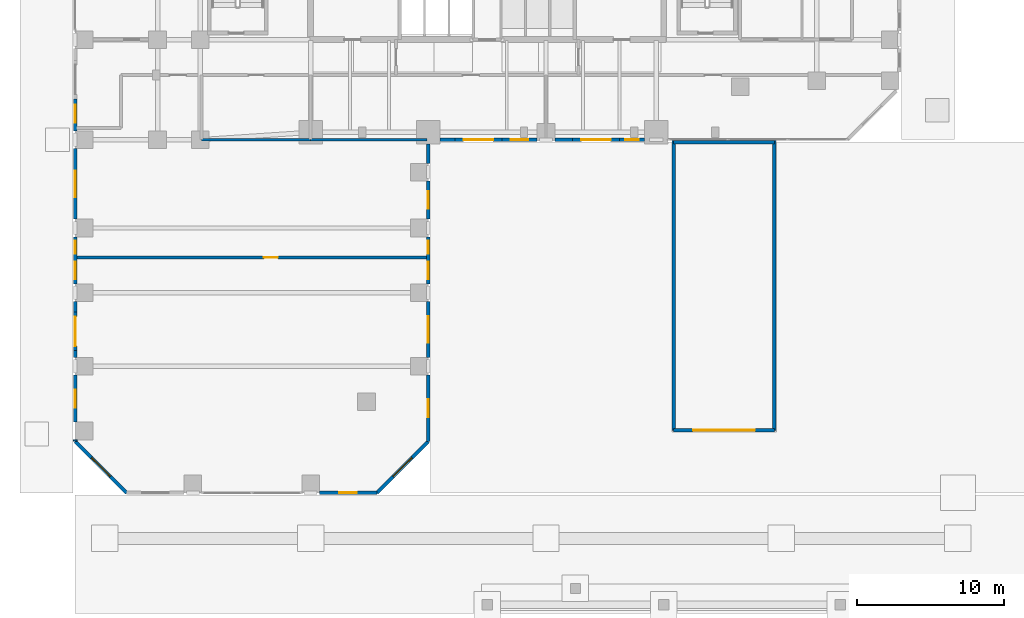
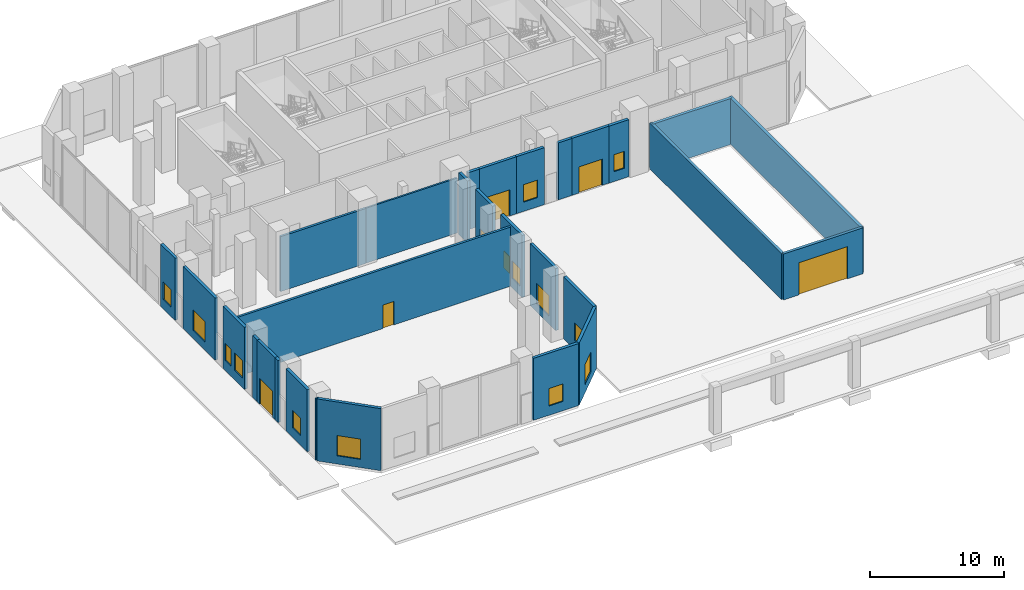
# One storey, part 17 of 26: 29 walls, 15 windows, 5 doors, 20 openings.
"""IFC4 building model written with IfcOpenShell, lengths in metres."""

from ifc_helpers import new_model, si_unit, direction, frame, frame_2d, origin, place, context, subcontext, project, spatial, rectangle, extrude, material, layer, layer_set, type_object, element, fill, save


model = new_model("IFC4")

# Units and contexts
model_context = context("Model", 3, precision=1e-05, world=origin(), true_north=direction((0.0, 1.0)))
body_context = subcontext(model_context, "Body", "Model", "MODEL_VIEW")
ifc_project = project(units=[si_unit("LENGTHUNIT", "METRE"), si_unit("AREAUNIT", "SQUARE_METRE"), si_unit("VOLUMEUNIT", "CUBIC_METRE"), si_unit("PLANEANGLEUNIT", "RADIAN"), si_unit("MASSUNIT", "GRAM", prefix="KILO")], contexts=[model_context])

# Site, building, storey
site_placement = place(None, origin())
site = spatial("IfcSite", under=ifc_project, at=site_placement, CompositionType="ELEMENT")
building_placement = place(site_placement, origin())
building = spatial("IfcBuilding", under=site, at=building_placement, Name="Catumbela Crestline Tower", CompositionType="ELEMENT")
storey_placement = place(building_placement, origin())
storey = spatial("IfcBuildingStorey", under=building, at=storey_placement, Name="L00", CompositionType="ELEMENT", Elevation=0.0)

# Wall
ifc_material_1 = material(Name="Acoustic gypsum and mineral-wool partition")
ifc_layer_1 = layer(ifc_material_1, 0.2, Name="Acoustic gypsum and mineral-wool partition")
ifc_layer_set_1 = layer_set([ifc_layer_1], Name="Acoustic gypsum and mineral-wool partition")
wall_type_1 = type_object("IfcWallType", Name="WC-200", PredefinedType="PARTITIONING", material=ifc_layer_set_1)
wall_1_placement = place(storey_placement, frame((8.6, 24.0, 0.0), z_axis=(0.0, 0.0, 1.0), x_axis=(1.0, 0.0, 0.0)))
element("IfcWall", 1, at=wall_1_placement, inside=storey, type_object=wall_type_1, Name="L00 Interior Partition PW-L00-FCC-S", PredefinedType="PARTITIONING", context=body_context, shape_type="SweptSolid", body=[
    extrude(rectangle(XDim=7.4, YDim=0.2, at=frame_2d((3.7, 0.0))), origin(), (0.0, 0.0, 1.0), 5.02),
])

# Wall, opening, door
wall_2_placement = place(storey_placement, frame((0.1, 16.0, 0.0), z_axis=(0.0, 0.0, 1.0), x_axis=(1.0, 0.0, 0.0)))
wall_2 = element("IfcWall", 2, at=wall_2_placement, inside=storey, type_object=wall_type_1, Name="L00 Interior Partition PW-L00-RET1-ENT", PredefinedType="PARTITIONING", context=body_context, shape_type="SweptSolid", body=[
    extrude(rectangle(XDim=23.8, YDim=0.2, at=frame_2d((11.9, 0.0))), origin(), (0.0, 0.0, 1.0), 5.42),
])
opening_1_placement = place(wall_2_placement, frame((12.725, 0.0, 0.0)))
opening_1 = element("IfcOpeningElement", 3, at=opening_1_placement, cuts=wall_2, Name="Opening DF6-095", PredefinedType="OPENING", context=body_context, shape_type="SweptSolid", body=[
    extrude(rectangle(XDim=0.95, YDim=2.15, at=frame_2d((0.475, 1.075))), frame((0.0, 0.11, 0.0), z_axis=(0.0, -1.0, 0.0), x_axis=(1.0, 0.0, 0.0)), (0.0, 0.0, 1.0), 0.22),
])
ifc_material_2 = material(Name="Aluminium alloy AW-6060-T66", Category="aluminium")
door_type_1 = type_object("IfcDoorType", Name="DF6-095", OperationType="NOTDEFINED", PredefinedType="DOOR", material=ifc_material_2)
door_1_placement = place(opening_1_placement, origin())
door_1 = element("IfcDoor", 4, at=door_1_placement, inside=storey, type_object=door_type_1, Name="L00 Interior Door DR-L00-RET1-ENT", OperationType="SINGLE_SWING_LEFT", OverallHeight=2.15, OverallWidth=0.95, PredefinedType="DOOR", context=body_context, shape_type="SweptSolid", body=[
    extrude(rectangle(XDim=0.95, YDim=2.15, at=frame_2d((0.475, 1.075))), frame((0.0, 0.025, 0.0), z_axis=(0.0, -1.0, 0.0), x_axis=(1.0, 0.0, 0.0)), (0.0, 0.0, 1.0), 0.05),
])
fill(opening_1, door_1)

# Wall, opening, window
ifc_material_3 = material(Name="Angolan grey-ochre granite", Category="masonry")
ifc_layer_2 = layer(ifc_material_3, 0.25, Name="Angolan grey-ochre granite")
ifc_layer_set_2 = layer_set([ifc_layer_2], Name="Angolan grey-ochre granite")
wall_type_2 = type_object("IfcWallType", Name="WE-250", PredefinedType="STANDARD", material=ifc_layer_set_2)
wall_3_placement = place(storey_placement, frame((16.6, 0.0, 0.0), z_axis=(0.0, 0.0, 1.0), x_axis=(1.0, 0.0, 0.0)))
wall_3 = element("IfcWall", 5, at=wall_3_placement, inside=storey, type_object=wall_type_2, Name="L00 Granite Punched Window Wall 0-3", PredefinedType="STANDARD", context=body_context, shape_type="SweptSolid", body=[
    extrude(rectangle(XDim=3.9, YDim=0.25, at=frame_2d((1.95, 0.0))), origin(), (0.0, 0.0, 1.0), 5.67),
])
opening_2_placement = place(wall_3_placement, frame((1.35, 0.0, 0.85)))
opening_2 = element("IfcOpeningElement", 6, at=opening_2_placement, cuts=wall_3, Name="Opening WN-02", PredefinedType="OPENING", context=body_context, shape_type="SweptSolid", body=[
    extrude(rectangle(XDim=1.2, YDim=1.6, at=frame_2d((0.6, 0.8))), frame((0.0, 0.135, 0.0), z_axis=(0.0, -1.0, 0.0), x_axis=(1.0, 0.0, 0.0)), (0.0, 0.0, 1.0), 0.27),
])
ifc_material_4 = material(Name="Low-E laminated solar-control double glazing", Category="glass")
window_type_1 = type_object("IfcWindowType", Name="WO-1200", PartitioningType="SINGLE_PANEL", PredefinedType="WINDOW", material=ifc_material_4)
window_1_placement = place(opening_2_placement, origin())
window_1 = element("IfcWindow", 7, at=window_1_placement, inside=storey, type_object=window_type_1, Name="L00 Facade Vision Window 2", OverallHeight=1.6, OverallWidth=1.2, PartitioningType="SINGLE_PANEL", PredefinedType="WINDOW", context=body_context, shape_type="SweptSolid", body=[
    extrude(rectangle(XDim=1.2, YDim=1.6, at=frame_2d((0.6, 0.8))), frame((0.0, 0.03, 0.0), z_axis=(0.0, -1.0, 0.0), x_axis=(1.0, 0.0, 0.0)), (0.0, 0.0, 1.0), 0.06),
])
fill(opening_2, window_1)

wall_4_placement = place(storey_placement, frame((20.5, 0.0, 0.0), z_axis=(0.0, 0.0, 1.0), x_axis=(0.707106781187, 0.707106781187, 0.0)))
wall_4 = element("IfcWall", 8, at=wall_4_placement, inside=storey, type_object=wall_type_2, Name="L00 Granite Punched Window Wall 1-1", PredefinedType="STANDARD", context=body_context, shape_type="SweptSolid", body=[
    extrude(rectangle(XDim=4.9497, YDim=0.25, at=frame_2d((2.4748, 0.0))), origin(), (0.0, 0.0, 1.0), 5.67),
])
opening_3_placement = place(wall_4_placement, frame((1.5749, 0.0, 0.75)))
opening_3 = element("IfcOpeningElement", 9, at=opening_3_placement, cuts=wall_4, Name="Opening WN-01", PredefinedType="OPENING", context=body_context, shape_type="SweptSolid", body=[
    extrude(rectangle(XDim=1.8, YDim=1.85, at=frame_2d((0.9, 0.925))), frame((0.0, 0.135, 0.0), z_axis=(0.0, -1.0, 0.0), x_axis=(1.0, 0.0, 0.0)), (0.0, 0.0, 1.0), 0.27),
])
window_type_2 = type_object("IfcWindowType", Name="WF-1800", PartitioningType="SINGLE_PANEL", PredefinedType="WINDOW", material=ifc_material_4)
window_2_placement = place(opening_3_placement, origin())
window_2 = element("IfcWindow", 10, at=window_2_placement, inside=storey, type_object=window_type_2, Name="L00 Facade Vision Window 3", OverallHeight=1.85, OverallWidth=1.8, PartitioningType="SINGLE_PANEL", PredefinedType="WINDOW", context=body_context, shape_type="SweptSolid", body=[
    extrude(rectangle(XDim=1.8, YDim=1.85, at=frame_2d((0.9, 0.925))), frame((0.0, 0.03, 0.0), z_axis=(0.0, -1.0, 0.0), x_axis=(1.0, 0.0, 0.0)), (0.0, 0.0, 1.0), 0.06),
])
fill(opening_3, window_2)

wall_5_placement = place(storey_placement, frame((24.0, 3.5, 0.0), z_axis=(0.0, 0.0, 1.0), x_axis=(0.0, 1.0, 0.0)))
wall_5 = element("IfcWall", 11, at=wall_5_placement, inside=storey, type_object=wall_type_2, Name="L00 Granite Punched Window Wall 2-1", PredefinedType="STANDARD", context=body_context, shape_type="SweptSolid", body=[
    extrude(rectangle(XDim=4.5, YDim=0.25, at=frame_2d((2.25, 0.0))), origin(), (0.0, 0.0, 1.0), 5.67),
])
opening_4_placement = place(wall_5_placement, frame((1.65, 0.0, 0.85)))
opening_4 = element("IfcOpeningElement", 12, at=opening_4_placement, cuts=wall_5, Name="Opening WN-02", PredefinedType="OPENING", context=body_context, shape_type="SweptSolid", body=[
    extrude(rectangle(XDim=1.2, YDim=1.6, at=frame_2d((0.6, 0.8))), frame((0.0, 0.135, 0.0), z_axis=(0.0, -1.0, 0.0), x_axis=(1.0, 0.0, 0.0)), (0.0, 0.0, 1.0), 0.27),
])
window_3_placement = place(opening_4_placement, origin())
window_3 = element("IfcWindow", 13, at=window_3_placement, inside=storey, type_object=window_type_1, Name="L00 Facade Vision Window 4", OverallHeight=1.6, OverallWidth=1.2, PartitioningType="SINGLE_PANEL", PredefinedType="WINDOW", context=body_context, shape_type="SweptSolid", body=[
    extrude(rectangle(XDim=1.2, YDim=1.6, at=frame_2d((0.6, 0.8))), frame((0.0, 0.03, 0.0), z_axis=(0.0, -1.0, 0.0), x_axis=(1.0, 0.0, 0.0)), (0.0, 0.0, 1.0), 0.06),
])
fill(opening_4, window_3)

wall_6_placement = place(storey_placement, frame((24.0, 9.2, 0.0), z_axis=(0.0, 0.0, 1.0), x_axis=(0.0, 1.0, 0.0)))
wall_6 = element("IfcWall", 14, at=wall_6_placement, inside=storey, type_object=wall_type_2, Name="L00 Granite Punched Window Wall 2-2", PredefinedType="STANDARD", context=body_context, shape_type="SweptSolid", body=[
    extrude(rectangle(XDim=3.8, YDim=0.25, at=frame_2d((1.9, 0.0))), origin(), (0.0, 0.0, 1.0), 5.67),
])
opening_5_placement = place(wall_6_placement, frame((1.0, 0.0, 0.75)))
opening_5 = element("IfcOpeningElement", 15, at=opening_5_placement, cuts=wall_6, Name="Opening WN-01", PredefinedType="OPENING", context=body_context, shape_type="SweptSolid", body=[
    extrude(rectangle(XDim=1.8, YDim=1.85, at=frame_2d((0.9, 0.925))), frame((0.0, 0.135, 0.0), z_axis=(0.0, -1.0, 0.0), x_axis=(1.0, 0.0, 0.0)), (0.0, 0.0, 1.0), 0.27),
])
window_4_placement = place(opening_5_placement, origin())
window_4 = element("IfcWindow", 16, at=window_4_placement, inside=storey, type_object=window_type_2, Name="L00 Facade Vision Window 5", OverallHeight=1.85, OverallWidth=1.8, PartitioningType="SINGLE_PANEL", PredefinedType="WINDOW", context=body_context, shape_type="SweptSolid", body=[
    extrude(rectangle(XDim=1.8, YDim=1.85, at=frame_2d((0.9, 0.925))), frame((0.0, 0.03, 0.0), z_axis=(0.0, -1.0, 0.0), x_axis=(1.0, 0.0, 0.0)), (0.0, 0.0, 1.0), 0.06),
])
fill(opening_5, window_4)

# Wall, openings, windows
wall_7_placement = place(storey_placement, frame((24.0, 14.2, 0.0), z_axis=(0.0, 0.0, 1.0), x_axis=(0.0, 1.0, 0.0)))
wall_7 = element("IfcWall", 17, at=wall_7_placement, inside=storey, type_object=wall_type_2, Name="L00 Granite Punched Window Wall 2-3", PredefinedType="STANDARD", context=body_context, shape_type="SweptSolid", body=[
    extrude(rectangle(XDim=3.2, YDim=0.25, at=frame_2d((1.6, 0.0))), origin(), (0.0, 0.0, 1.0), 5.67),
])
opening_6_placement = place(wall_7_placement, frame((0.31, 0.0, 0.85)))
opening_6 = element("IfcOpeningElement", 18, at=opening_6_placement, cuts=wall_7, Name="Opening WN-02", PredefinedType="OPENING", context=body_context, shape_type="SweptSolid", body=[
    extrude(rectangle(XDim=1.2, YDim=1.6, at=frame_2d((0.6, 0.8))), frame((0.0, 0.135, 0.0), z_axis=(0.0, -1.0, 0.0), x_axis=(1.0, 0.0, 0.0)), (0.0, 0.0, 1.0), 0.27),
])
opening_7_placement = place(wall_7_placement, frame((2.04, 0.0, 0.9)))
opening_7 = element("IfcOpeningElement", 19, at=opening_7_placement, cuts=wall_7, Name="Opening WN-03", PredefinedType="OPENING", context=body_context, shape_type="SweptSolid", body=[
    extrude(rectangle(XDim=0.9, YDim=1.55, at=frame_2d((0.45, 0.775))), frame((0.0, 0.135, 0.0), z_axis=(0.0, -1.0, 0.0), x_axis=(1.0, 0.0, 0.0)), (0.0, 0.0, 1.0), 0.27),
])
window_type_3 = type_object("IfcWindowType", Name="WO-0900", PartitioningType="SINGLE_PANEL", PredefinedType="WINDOW", material=ifc_material_4)
window_5_placement = place(opening_7_placement, origin())
window_5 = element("IfcWindow", 20, at=window_5_placement, inside=storey, type_object=window_type_3, Name="L00 Facade Vision Window 7", OverallHeight=1.55, OverallWidth=0.9, PartitioningType="SINGLE_PANEL", PredefinedType="WINDOW", context=body_context, shape_type="SweptSolid", body=[
    extrude(rectangle(XDim=0.9, YDim=1.55, at=frame_2d((0.45, 0.775))), frame((0.0, 0.03, 0.0), z_axis=(0.0, -1.0, 0.0), x_axis=(1.0, 0.0, 0.0)), (0.0, 0.0, 1.0), 0.06),
])
fill(opening_7, window_5)
window_6_placement = place(opening_6_placement, origin())
window_6 = element("IfcWindow", 21, at=window_6_placement, inside=storey, type_object=window_type_1, Name="L00 Facade Vision Window 6", OverallHeight=1.6, OverallWidth=1.2, PartitioningType="SINGLE_PANEL", PredefinedType="WINDOW", context=body_context, shape_type="SweptSolid", body=[
    extrude(rectangle(XDim=1.2, YDim=1.6, at=frame_2d((0.6, 0.8))), frame((0.0, 0.03, 0.0), z_axis=(0.0, -1.0, 0.0), x_axis=(1.0, 0.0, 0.0)), (0.0, 0.0, 1.0), 0.06),
])
fill(opening_6, window_6)

# Wall, opening, window
wall_8_placement = place(storey_placement, frame((24.0, 18.6, 0.0), z_axis=(0.0, 0.0, 1.0), x_axis=(0.0, 1.0, 0.0)))
wall_8 = element("IfcWall", 22, at=wall_8_placement, inside=storey, type_object=wall_type_2, Name="L00 Granite Punched Window Wall 2-4", PredefinedType="STANDARD", context=body_context, shape_type="SweptSolid", body=[
    extrude(rectangle(XDim=2.6, YDim=0.25, at=frame_2d((1.3, 0.0))), origin(), (0.0, 0.0, 1.0), 5.67),
])
opening_8_placement = place(wall_8_placement, frame((0.7, 0.0, 0.85)))
opening_8 = element("IfcOpeningElement", 23, at=opening_8_placement, cuts=wall_8, Name="Opening WN-02", PredefinedType="OPENING", context=body_context, shape_type="SweptSolid", body=[
    extrude(rectangle(XDim=1.2, YDim=1.6, at=frame_2d((0.6, 0.8))), frame((0.0, 0.135, 0.0), z_axis=(0.0, -1.0, 0.0), x_axis=(1.0, 0.0, 0.0)), (0.0, 0.0, 1.0), 0.27),
])
window_7_placement = place(opening_8_placement, origin())
window_7 = element("IfcWindow", 24, at=window_7_placement, inside=storey, type_object=window_type_1, Name="L00 Facade Vision Window 8", OverallHeight=1.6, OverallWidth=1.2, PartitioningType="SINGLE_PANEL", PredefinedType="WINDOW", context=body_context, shape_type="SweptSolid", body=[
    extrude(rectangle(XDim=1.2, YDim=1.6, at=frame_2d((0.6, 0.8))), frame((0.0, 0.03, 0.0), z_axis=(0.0, -1.0, 0.0), x_axis=(1.0, 0.0, 0.0)), (0.0, 0.0, 1.0), 0.06),
])
fill(opening_8, window_7)

# Wall
wall_9_placement = place(storey_placement, frame((24.0, 22.4, 0.0), z_axis=(0.0, 0.0, 1.0), x_axis=(0.0, 1.0, 0.0)))
element("IfcWall", 25, at=wall_9_placement, inside=storey, type_object=wall_type_2, Name="L00 Granite Punched Window Wall 2-5", PredefinedType="STANDARD", context=body_context, shape_type="SweptSolid", body=[
    extrude(rectangle(XDim=1.3, YDim=0.25, at=frame_2d((0.65, 0.0))), origin(), (0.0, 0.0, 1.0), 5.67),
])

# Wall, opening, door
wall_10_placement = place(storey_placement, frame((29.0, 24.0, 0.0), z_axis=(0.0, 0.0, 1.0), x_axis=(-1.0, 0.0, 0.0)))
wall_10 = element("IfcWall", 26, at=wall_10_placement, inside=storey, type_object=wall_type_2, Name="L00 Exterior Threshold Portal Wall DR-L00-ENT-HOTEL", PredefinedType="STANDARD", context=body_context, shape_type="SweptSolid", body=[
    extrude(rectangle(XDim=3.2, YDim=0.25, at=frame_2d((1.6, 0.0))), origin(), (0.0, 0.0, 1.0), 5.21),
])
opening_9_placement = place(wall_10_placement, frame((0.6, 0.0, 0.0)))
opening_9 = element("IfcOpeningElement", 27, at=opening_9_placement, cuts=wall_10, Name="Opening DE-01", PredefinedType="OPENING", context=body_context, shape_type="SweptSolid", body=[
    extrude(rectangle(XDim=2.0, YDim=2.4, at=frame_2d((1.0, 1.2))), frame((0.0, 0.135, 0.0), z_axis=(0.0, -1.0, 0.0), x_axis=(1.0, 0.0, 0.0)), (0.0, 0.0, 1.0), 0.27),
])
door_type_2 = type_object("IfcDoorType", Name="DE-2000", OperationType="NOTDEFINED", PredefinedType="DOOR", material=ifc_material_2)
door_2_placement = place(opening_9_placement, origin())
door_2 = element("IfcDoor", 28, at=door_2_placement, inside=storey, type_object=door_type_2, Name="L00 Hotel Grand Entrance Door", OperationType="DOUBLE_DOOR_SINGLE_SWING", OverallHeight=2.4, OverallWidth=2.0, PredefinedType="DOOR", context=body_context, shape_type="SweptSolid", body=[
    extrude(rectangle(XDim=2.0, YDim=2.4, at=frame_2d((1.0, 1.2))), frame((0.0, 0.025, 0.0), z_axis=(0.0, -1.0, 0.0), x_axis=(1.0, 0.0, 0.0)), (0.0, 0.0, 1.0), 0.05),
])
fill(opening_9, door_2)

wall_11_placement = place(storey_placement, frame((37.0, 24.0, 0.0), z_axis=(0.0, 0.0, 1.0), x_axis=(-1.0, 0.0, 0.0)))
wall_11 = element("IfcWall", 29, at=wall_11_placement, inside=storey, type_object=wall_type_2, Name="L00 Exterior Threshold Portal Wall DR-L00-ENT-RES", PredefinedType="STANDARD", context=body_context, shape_type="SweptSolid", body=[
    extrude(rectangle(XDim=3.2, YDim=0.25, at=frame_2d((1.6, 0.0))), origin(), (0.0, 0.0, 1.0), 5.21),
])
opening_10_placement = place(wall_11_placement, frame((0.6, 0.0, 0.0)))
opening_10 = element("IfcOpeningElement", 30, at=opening_10_placement, cuts=wall_11, Name="Opening DE-02", PredefinedType="OPENING", context=body_context, shape_type="SweptSolid", body=[
    extrude(rectangle(XDim=2.0, YDim=2.4, at=frame_2d((1.0, 1.2))), frame((0.0, 0.135, 0.0), z_axis=(0.0, -1.0, 0.0), x_axis=(1.0, 0.0, 0.0)), (0.0, 0.0, 1.0), 0.27),
])
door_3_placement = place(opening_10_placement, origin())
door_3 = element("IfcDoor", 31, at=door_3_placement, inside=storey, type_object=door_type_2, Name="L00 Residence Arrival Entrance Door", OperationType="DOUBLE_DOOR_SINGLE_SWING", OverallHeight=2.4, OverallWidth=2.0, PredefinedType="DOOR", context=body_context, shape_type="SweptSolid", body=[
    extrude(rectangle(XDim=2.0, YDim=2.4, at=frame_2d((1.0, 1.2))), frame((0.0, 0.025, 0.0), z_axis=(0.0, -1.0, 0.0), x_axis=(1.0, 0.0, 0.0)), (0.0, 0.0, 1.0), 0.05),
])
fill(opening_10, door_3)

# Wall
wall_12_placement = place(storey_placement, frame((24.8, 24.0, 0.0), z_axis=(0.0, 0.0, 1.0), x_axis=(1.0, 0.0, 0.0)))
element("IfcWall", 32, at=wall_12_placement, inside=storey, type_object=wall_type_2, Name="L00 Granite Punched Window Wall 3-1", PredefinedType="STANDARD", context=body_context, shape_type="SweptSolid", body=[
    extrude(rectangle(XDim=1.0, YDim=0.25, at=frame_2d((0.5, 0.0))), origin(), (0.0, 0.0, 1.0), 5.21),
])

# Wall, opening, window
wall_13_placement = place(storey_placement, frame((29.0, 24.0, 0.0), z_axis=(0.0, 0.0, 1.0), x_axis=(1.0, 0.0, 0.0)))
wall_13 = element("IfcWall", 33, at=wall_13_placement, inside=storey, type_object=wall_type_2, Name="L00 Granite Punched Window Wall 3-2", PredefinedType="STANDARD", context=body_context, shape_type="SweptSolid", body=[
    extrude(rectangle(XDim=2.4, YDim=0.25, at=frame_2d((1.2, 0.0))), origin(), (0.0, 0.0, 1.0), 5.21),
])
opening_11_placement = place(wall_13_placement, frame((0.6, 0.0, 0.85)))
opening_11 = element("IfcOpeningElement", 34, at=opening_11_placement, cuts=wall_13, Name="Opening WN-02", PredefinedType="OPENING", context=body_context, shape_type="SweptSolid", body=[
    extrude(rectangle(XDim=1.2, YDim=1.6, at=frame_2d((0.6, 0.8))), frame((0.0, 0.135, 0.0), z_axis=(0.0, -1.0, 0.0), x_axis=(1.0, 0.0, 0.0)), (0.0, 0.0, 1.0), 0.27),
])
window_8_placement = place(opening_11_placement, origin())
window_8 = element("IfcWindow", 35, at=window_8_placement, inside=storey, type_object=window_type_1, Name="L00 Facade Vision Window 9", OverallHeight=1.6, OverallWidth=1.2, PartitioningType="SINGLE_PANEL", PredefinedType="WINDOW", context=body_context, shape_type="SweptSolid", body=[
    extrude(rectangle(XDim=1.2, YDim=1.6, at=frame_2d((0.6, 0.8))), frame((0.0, 0.03, 0.0), z_axis=(0.0, -1.0, 0.0), x_axis=(1.0, 0.0, 0.0)), (0.0, 0.0, 1.0), 0.06),
])
fill(opening_11, window_8)

# Wall
wall_14_placement = place(storey_placement, frame((32.6, 24.0, 0.0), z_axis=(0.0, 0.0, 1.0), x_axis=(1.0, 0.0, 0.0)))
element("IfcWall", 36, at=wall_14_placement, inside=storey, type_object=wall_type_2, Name="L00 Granite Punched Window Wall 3-3", PredefinedType="STANDARD", context=body_context, shape_type="SweptSolid", body=[
    extrude(rectangle(XDim=1.2, YDim=0.25, at=frame_2d((0.6, 0.0))), origin(), (0.0, 0.0, 1.0), 5.21),
])

# Wall, opening, window
wall_15_placement = place(storey_placement, frame((37.0, 24.0, 0.0), z_axis=(0.0, 0.0, 1.0), x_axis=(1.0, 0.0, 0.0)))
wall_15 = element("IfcWall", 37, at=wall_15_placement, inside=storey, type_object=wall_type_2, Name="L00 Granite Punched Window Wall 3-4", PredefinedType="STANDARD", context=body_context, shape_type="SweptSolid", body=[
    extrude(rectangle(XDim=1.7, YDim=0.25, at=frame_2d((0.85, 0.0))), origin(), (0.0, 0.0, 1.0), 5.21),
])
opening_12_placement = place(wall_15_placement, frame((0.4, 0.0, 0.9)))
opening_12 = element("IfcOpeningElement", 38, at=opening_12_placement, cuts=wall_15, Name="Opening WN-03", PredefinedType="OPENING", context=body_context, shape_type="SweptSolid", body=[
    extrude(rectangle(XDim=0.9, YDim=1.55, at=frame_2d((0.45, 0.775))), frame((0.0, 0.135, 0.0), z_axis=(0.0, -1.0, 0.0), x_axis=(1.0, 0.0, 0.0)), (0.0, 0.0, 1.0), 0.27),
])
window_9_placement = place(opening_12_placement, origin())
window_9 = element("IfcWindow", 39, at=window_9_placement, inside=storey, type_object=window_type_3, Name="L00 Facade Vision Window 10", OverallHeight=1.55, OverallWidth=0.9, PartitioningType="SINGLE_PANEL", PredefinedType="WINDOW", context=body_context, shape_type="SweptSolid", body=[
    extrude(rectangle(XDim=0.9, YDim=1.55, at=frame_2d((0.45, 0.775))), frame((0.0, 0.03, 0.0), z_axis=(0.0, -1.0, 0.0), x_axis=(1.0, 0.0, 0.0)), (0.0, 0.0, 1.0), 0.06),
])
fill(opening_12, window_9)

# Wall, opening, door
wall_16_placement = place(storey_placement, frame((0.0, 9.66, 0.0), z_axis=(0.0, 0.0, 1.0), x_axis=(0.0, 1.0, 0.0)))
wall_16 = element("IfcWall", 40, at=wall_16_placement, inside=storey, type_object=wall_type_2, Name="L00 Exterior Threshold Portal Wall DR-L00-ENT-RET", PredefinedType="STANDARD", context=body_context, shape_type="SweptSolid", body=[
    extrude(rectangle(XDim=2.64, YDim=0.25, at=frame_2d((1.32, 0.0))), origin(), (0.0, 0.0, 1.0), 5.67),
])
opening_13_placement = place(wall_16_placement, frame((0.32, 0.0, 0.0)))
opening_13 = element("IfcOpeningElement", 41, at=opening_13_placement, cuts=wall_16, Name="Opening DE-05", PredefinedType="OPENING", context=body_context, shape_type="SweptSolid", body=[
    extrude(rectangle(XDim=2.0, YDim=2.4, at=frame_2d((1.0, 1.2))), frame((0.0, 0.135, 0.0), z_axis=(0.0, -1.0, 0.0), x_axis=(1.0, 0.0, 0.0)), (0.0, 0.0, 1.0), 0.27),
])
door_4_placement = place(opening_13_placement, origin())
door_4 = element("IfcDoor", 42, at=door_4_placement, inside=storey, type_object=door_type_2, Name="L00 Waterfront Boutique Street Entrance", OperationType="DOUBLE_DOOR_SINGLE_SWING", OverallHeight=2.4, OverallWidth=2.0, PredefinedType="DOOR", context=body_context, shape_type="SweptSolid", body=[
    extrude(rectangle(XDim=2.0, YDim=2.4, at=frame_2d((1.0, 1.2))), frame((0.0, 0.025, 0.0), z_axis=(0.0, -1.0, 0.0), x_axis=(1.0, 0.0, 0.0)), (0.0, 0.0, 1.0), 0.05),
])
fill(opening_13, door_4)

# Wall, opening, window
wall_17_placement = place(storey_placement, frame((0.0, 26.76, 0.0), z_axis=(0.0, 0.0, 1.0), x_axis=(0.0, -1.0, 0.0)))
wall_17 = element("IfcWall", 43, at=wall_17_placement, inside=storey, type_object=wall_type_2, Name="L00 Granite Punched Window Wall 9-4", PredefinedType="STANDARD", context=body_context, shape_type="SweptSolid", body=[
    extrude(rectangle(XDim=2.16, YDim=0.25, at=frame_2d((1.08, 0.0))), origin(), (0.0, 0.0, 1.0), 5.67),
])
opening_14_placement = place(wall_17_placement, frame((0.39, 0.0, 0.85)))
opening_14 = element("IfcOpeningElement", 44, at=opening_14_placement, cuts=wall_17, Name="Opening WN-02", PredefinedType="OPENING", context=body_context, shape_type="SweptSolid", body=[
    extrude(rectangle(XDim=1.2, YDim=1.6, at=frame_2d((0.6, 0.8))), frame((0.0, 0.135, 0.0), z_axis=(0.0, -1.0, 0.0), x_axis=(1.0, 0.0, 0.0)), (0.0, 0.0, 1.0), 0.27),
])
window_10_placement = place(opening_14_placement, origin())
window_10 = element("IfcWindow", 45, at=window_10_placement, inside=storey, type_object=window_type_1, Name="L00 Facade Vision Window 20", OverallHeight=1.6, OverallWidth=1.2, PartitioningType="SINGLE_PANEL", PredefinedType="WINDOW", context=body_context, shape_type="SweptSolid", body=[
    extrude(rectangle(XDim=1.2, YDim=1.6, at=frame_2d((0.6, 0.8))), frame((0.0, 0.03, 0.0), z_axis=(0.0, -1.0, 0.0), x_axis=(1.0, 0.0, 0.0)), (0.0, 0.0, 1.0), 0.06),
])
fill(opening_14, window_10)

wall_18_placement = place(storey_placement, frame((0.0, 23.4, 0.0), z_axis=(0.0, 0.0, 1.0), x_axis=(0.0, -1.0, 0.0)))
wall_18 = element("IfcWall", 46, at=wall_18_placement, inside=storey, type_object=wall_type_2, Name="L00 Granite Punched Window Wall 9-5", PredefinedType="STANDARD", context=body_context, shape_type="SweptSolid", body=[
    extrude(rectangle(XDim=4.8, YDim=0.25, at=frame_2d((2.4, 0.0))), origin(), (0.0, 0.0, 1.0), 5.67),
])
opening_15_placement = place(wall_18_placement, frame((1.5, 0.0, 0.75)))
opening_15 = element("IfcOpeningElement", 47, at=opening_15_placement, cuts=wall_18, Name="Opening WN-01", PredefinedType="OPENING", context=body_context, shape_type="SweptSolid", body=[
    extrude(rectangle(XDim=1.8, YDim=1.85, at=frame_2d((0.9, 0.925))), frame((0.0, 0.135, 0.0), z_axis=(0.0, -1.0, 0.0), x_axis=(1.0, 0.0, 0.0)), (0.0, 0.0, 1.0), 0.27),
])
window_11_placement = place(opening_15_placement, origin())
window_11 = element("IfcWindow", 48, at=window_11_placement, inside=storey, type_object=window_type_2, Name="L00 Facade Vision Window 21", OverallHeight=1.85, OverallWidth=1.8, PartitioningType="SINGLE_PANEL", PredefinedType="WINDOW", context=body_context, shape_type="SweptSolid", body=[
    extrude(rectangle(XDim=1.8, YDim=1.85, at=frame_2d((0.9, 0.925))), frame((0.0, 0.03, 0.0), z_axis=(0.0, -1.0, 0.0), x_axis=(1.0, 0.0, 0.0)), (0.0, 0.0, 1.0), 0.06),
])
fill(opening_15, window_11)

# Wall, openings, windows
wall_19_placement = place(storey_placement, frame((0.0, 17.4, 0.0), z_axis=(0.0, 0.0, 1.0), x_axis=(0.0, -1.0, 0.0)))
wall_19 = element("IfcWall", 49, at=wall_19_placement, inside=storey, type_object=wall_type_2, Name="L00 Granite Punched Window Wall 9-6", PredefinedType="STANDARD", context=body_context, shape_type="SweptSolid", body=[
    extrude(rectangle(XDim=3.2, YDim=0.25, at=frame_2d((1.6, 0.0))), origin(), (0.0, 0.0, 1.0), 5.67),
])
opening_16_placement = place(wall_19_placement, frame((0.26, 0.0, 0.9)))
opening_16 = element("IfcOpeningElement", 50, at=opening_16_placement, cuts=wall_19, Name="Opening WN-03", PredefinedType="OPENING", context=body_context, shape_type="SweptSolid", body=[
    extrude(rectangle(XDim=0.9, YDim=1.55, at=frame_2d((0.45, 0.775))), frame((0.0, 0.135, 0.0), z_axis=(0.0, -1.0, 0.0), x_axis=(1.0, 0.0, 0.0)), (0.0, 0.0, 1.0), 0.27),
])
opening_17_placement = place(wall_19_placement, frame((1.69, 0.0, 0.85)))
opening_17 = element("IfcOpeningElement", 51, at=opening_17_placement, cuts=wall_19, Name="Opening WN-02", PredefinedType="OPENING", context=body_context, shape_type="SweptSolid", body=[
    extrude(rectangle(XDim=1.2, YDim=1.6, at=frame_2d((0.6, 0.8))), frame((0.0, 0.135, 0.0), z_axis=(0.0, -1.0, 0.0), x_axis=(1.0, 0.0, 0.0)), (0.0, 0.0, 1.0), 0.27),
])
window_12_placement = place(opening_16_placement, origin())
window_12 = element("IfcWindow", 52, at=window_12_placement, inside=storey, type_object=window_type_3, Name="L00 Facade Vision Window 22", OverallHeight=1.55, OverallWidth=0.9, PartitioningType="SINGLE_PANEL", PredefinedType="WINDOW", context=body_context, shape_type="SweptSolid", body=[
    extrude(rectangle(XDim=0.9, YDim=1.55, at=frame_2d((0.45, 0.775))), frame((0.0, 0.03, 0.0), z_axis=(0.0, -1.0, 0.0), x_axis=(1.0, 0.0, 0.0)), (0.0, 0.0, 1.0), 0.06),
])
fill(opening_16, window_12)
window_13_placement = place(opening_17_placement, origin())
window_13 = element("IfcWindow", 53, at=window_13_placement, inside=storey, type_object=window_type_1, Name="L00 Facade Vision Window 23", OverallHeight=1.6, OverallWidth=1.2, PartitioningType="SINGLE_PANEL", PredefinedType="WINDOW", context=body_context, shape_type="SweptSolid", body=[
    extrude(rectangle(XDim=1.2, YDim=1.6, at=frame_2d((0.6, 0.8))), frame((0.0, 0.03, 0.0), z_axis=(0.0, -1.0, 0.0), x_axis=(1.0, 0.0, 0.0)), (0.0, 0.0, 1.0), 0.06),
])
fill(opening_17, window_13)

# Walls
wall_20_placement = place(storey_placement, frame((0.0, 13.0, 0.0), z_axis=(0.0, 0.0, 1.0), x_axis=(0.0, -1.0, 0.0)))
element("IfcWall", 54, at=wall_20_placement, inside=storey, type_object=wall_type_2, Name="L00 Granite Punched Window Wall 9-7", PredefinedType="STANDARD", context=body_context, shape_type="SweptSolid", body=[
    extrude(rectangle(XDim=0.7, YDim=0.25, at=frame_2d((0.35, 0.0))), origin(), (0.0, 0.0, 1.0), 5.67),
])
wall_21_placement = place(storey_placement, frame((0.0, 9.66, 0.0), z_axis=(0.0, 0.0, 1.0), x_axis=(0.0, -1.0, 0.0)))
element("IfcWall", 55, at=wall_21_placement, inside=storey, type_object=wall_type_2, Name="L00 Granite Punched Window Wall 9-8", PredefinedType="STANDARD", context=body_context, shape_type="SweptSolid", body=[
    extrude(rectangle(XDim=0.46, YDim=0.25, at=frame_2d((0.23, 0.0))), origin(), (0.0, 0.0, 1.0), 5.67),
])

# Wall, opening, window
wall_22_placement = place(storey_placement, frame((0.0, 8.0, 0.0), z_axis=(0.0, 0.0, 1.0), x_axis=(0.0, -1.0, 0.0)))
wall_22 = element("IfcWall", 56, at=wall_22_placement, inside=storey, type_object=wall_type_2, Name="L00 Granite Punched Window Wall 9-9", PredefinedType="STANDARD", context=body_context, shape_type="SweptSolid", body=[
    extrude(rectangle(XDim=3.2, YDim=0.25, at=frame_2d((1.6, 0.0))), origin(), (0.0, 0.0, 1.0), 5.67),
])
opening_18_placement = place(wall_22_placement, frame((1.0, 0.0, 0.85)))
opening_18 = element("IfcOpeningElement", 57, at=opening_18_placement, cuts=wall_22, Name="Opening WN-02", PredefinedType="OPENING", context=body_context, shape_type="SweptSolid", body=[
    extrude(rectangle(XDim=1.2, YDim=1.6, at=frame_2d((0.6, 0.8))), frame((0.0, 0.135, 0.0), z_axis=(0.0, -1.0, 0.0), x_axis=(1.0, 0.0, 0.0)), (0.0, 0.0, 1.0), 0.27),
])
window_14_placement = place(opening_18_placement, origin())
window_14 = element("IfcWindow", 58, at=window_14_placement, inside=storey, type_object=window_type_1, Name="L00 Facade Vision Window 24", OverallHeight=1.6, OverallWidth=1.2, PartitioningType="SINGLE_PANEL", PredefinedType="WINDOW", context=body_context, shape_type="SweptSolid", body=[
    extrude(rectangle(XDim=1.2, YDim=1.6, at=frame_2d((0.6, 0.8))), frame((0.0, 0.03, 0.0), z_axis=(0.0, -1.0, 0.0), x_axis=(1.0, 0.0, 0.0)), (0.0, 0.0, 1.0), 0.06),
])
fill(opening_18, window_14)

# Wall
wall_23_placement = place(storey_placement, frame((0.0, 3.6, 0.0), z_axis=(0.0, 0.0, 1.0), x_axis=(0.0, -1.0, 0.0)))
element("IfcWall", 59, at=wall_23_placement, inside=storey, type_object=wall_type_2, Name="L00 Granite Punched Window Wall 9-10", PredefinedType="STANDARD", context=body_context, shape_type="SweptSolid", body=[
    extrude(rectangle(XDim=0.1, YDim=0.25, at=frame_2d((0.05, 0.0))), origin(), (0.0, 0.0, 1.0), 5.67),
])

# Wall, opening, window
wall_24_placement = place(storey_placement, frame((0.0, 3.5, 0.0), z_axis=(0.0, 0.0, 1.0), x_axis=(0.707106781187, -0.707106781187, 0.0)))
wall_24 = element("IfcWall", 60, at=wall_24_placement, inside=storey, type_object=wall_type_2, Name="L00 Granite Punched Window Wall 10-1", PredefinedType="STANDARD", context=body_context, shape_type="SweptSolid", body=[
    extrude(rectangle(XDim=4.9497, YDim=0.25, at=frame_2d((2.4748, 0.0))), origin(), (0.0, 0.0, 1.0), 5.67),
])
opening_19_placement = place(wall_24_placement, frame((1.5749, 0.0, 0.75)))
opening_19 = element("IfcOpeningElement", 61, at=opening_19_placement, cuts=wall_24, Name="Opening WN-01", PredefinedType="OPENING", context=body_context, shape_type="SweptSolid", body=[
    extrude(rectangle(XDim=1.8, YDim=1.85, at=frame_2d((0.9, 0.925))), frame((0.0, 0.135, 0.0), z_axis=(0.0, -1.0, 0.0), x_axis=(1.0, 0.0, 0.0)), (0.0, 0.0, 1.0), 0.27),
])
window_15_placement = place(opening_19_placement, origin())
window_15 = element("IfcWindow", 62, at=window_15_placement, inside=storey, type_object=window_type_2, Name="L00 Facade Vision Window 25", OverallHeight=1.85, OverallWidth=1.8, PartitioningType="SINGLE_PANEL", PredefinedType="WINDOW", context=body_context, shape_type="SweptSolid", body=[
    extrude(rectangle(XDim=1.8, YDim=1.85, at=frame_2d((0.9, 0.925))), frame((0.0, 0.03, 0.0), z_axis=(0.0, -1.0, 0.0), x_axis=(1.0, 0.0, 0.0)), (0.0, 0.0, 1.0), 0.06),
])
fill(opening_19, window_15)

# Walls
ifc_material_5 = material(Name="Concrete C45/55", Category="concrete")
ifc_layer_3 = layer(ifc_material_5, 0.25, Name="Concrete C45/55")
ifc_layer_set_3 = layer_set([ifc_layer_3], Name="Concrete C45/55")
wall_type_3 = type_object("IfcWallType", Name="WE-250S", PredefinedType="STANDARD", material=ifc_layer_set_3)
for number, where, z_axis, x_axis, name in (
    (63, (40.68, 4.25, 0.0), (0.0, 0.0, 1.0), (0.0, 1.0, 0.0), "L00 Vehicle Ramp Portal Wall WL-L00-RPORT-W"),
    (64, (47.52, 4.25, 0.0), (0.0, 0.0, 1.0), (0.0, 1.0, 0.0), "L00 Vehicle Ramp Portal Wall WL-L00-RPORT-E"),
):
    element("IfcWall", number, at=place(storey_placement, frame(where, z_axis=z_axis, x_axis=x_axis)), inside=storey, type_object=wall_type_3, Name=name, PredefinedType="STANDARD", context=body_context, shape_type="SweptSolid", body=[
        extrude(rectangle(XDim=19.75, YDim=0.25, at=frame_2d((9.875, 0.0))), origin(), (0.0, 0.0, 1.0), 4.2),
    ])
wall_25_placement = place(storey_placement, frame((40.68, 23.82, 0.0), z_axis=(0.0, 0.0, 1.0), x_axis=(1.0, 0.0, 0.0)))
element("IfcWall", 65, at=wall_25_placement, inside=storey, type_object=wall_type_3, Name="L00 Vehicle Ramp Portal Wall WL-L00-RPORT-N", PredefinedType="STANDARD", context=body_context, shape_type="SweptSolid", body=[
    extrude(rectangle(XDim=6.84, YDim=0.25, at=frame_2d((3.42, 0.0))), origin(), (0.0, 0.0, 1.0), 4.2),
])

# Wall, opening, door
wall_26_placement = place(storey_placement, frame((40.68, 4.25, 0.0), z_axis=(0.0, 0.0, 1.0), x_axis=(1.0, 0.0, 0.0)))
wall_26 = element("IfcWall", 66, at=wall_26_placement, inside=storey, type_object=wall_type_3, Name="L00 Vehicle Ramp Portal Wall WL-L00-RPORT-S", PredefinedType="STANDARD", context=body_context, shape_type="SweptSolid", body=[
    extrude(rectangle(XDim=6.84, YDim=0.25, at=frame_2d((3.42, 0.0))), origin(), (0.0, 0.0, 1.0), 4.2),
])
opening_20_placement = place(wall_26_placement, frame((1.32, 0.0, 0.0)))
opening_20 = element("IfcOpeningElement", 67, at=opening_20_placement, cuts=wall_26, Name="Opening DG-01", PredefinedType="OPENING", context=body_context, shape_type="SweptSolid", body=[
    extrude(rectangle(XDim=4.2, YDim=2.95, at=frame_2d((2.1, 1.475))), frame((0.0, 0.135, 0.0), z_axis=(0.0, -1.0, 0.0), x_axis=(1.0, 0.0, 0.0)), (0.0, 0.0, 1.0), 0.27),
])
ifc_material_6 = material(Name="Stainless steel EN 1.4401", Category="steel")
door_type_3 = type_object("IfcDoorType", Name="DG-4200E", OperationType="NOTDEFINED", PredefinedType="GATE", material=ifc_material_6)
door_5_placement = place(opening_20_placement, origin())
door_5 = element("IfcDoor", 68, at=door_5_placement, inside=storey, type_object=door_type_3, Name="L00 Basement Car Park Roller Shutter Gate DG-01", OperationType="ROLLINGUP", OverallHeight=2.95, OverallWidth=4.2, PredefinedType="GATE", context=body_context, shape_type="SweptSolid", body=[
    extrude(rectangle(XDim=4.2, YDim=2.95, at=frame_2d((2.1, 1.475))), frame((0.0, 0.025, 0.0), z_axis=(0.0, -1.0, 0.0), x_axis=(1.0, 0.0, 0.0)), (0.0, 0.0, 1.0), 0.05),
])
fill(opening_20, door_5)

# Wall
ifc_layer_4 = layer(ifc_material_1, 0.15, Name="Acoustic gypsum and mineral-wool partition")
ifc_layer_set_4 = layer_set([ifc_layer_4], Name="Acoustic gypsum and mineral-wool partition")
wall_type_4 = type_object("IfcWallType", Name="WP-150", PredefinedType="PARTITIONING", material=ifc_layer_set_4)
wall_27_placement = place(storey_placement, frame((16.0, 24.0, 0.0), z_axis=(0.0, 0.0, 1.0), x_axis=(1.0, 0.0, 0.0)))
element("IfcWall", 69, at=wall_27_placement, inside=storey, type_object=wall_type_4, Name="L00 Interior Partition PW-L00-HLB-S", PredefinedType="PARTITIONING", context=body_context, shape_type="SweptSolid", body=[
    extrude(rectangle(XDim=7.9, YDim=0.15, at=frame_2d((3.95, 0.0))), origin(), (0.0, 0.0, 1.0), 5.02),
])

save(model, "model.ifc")
